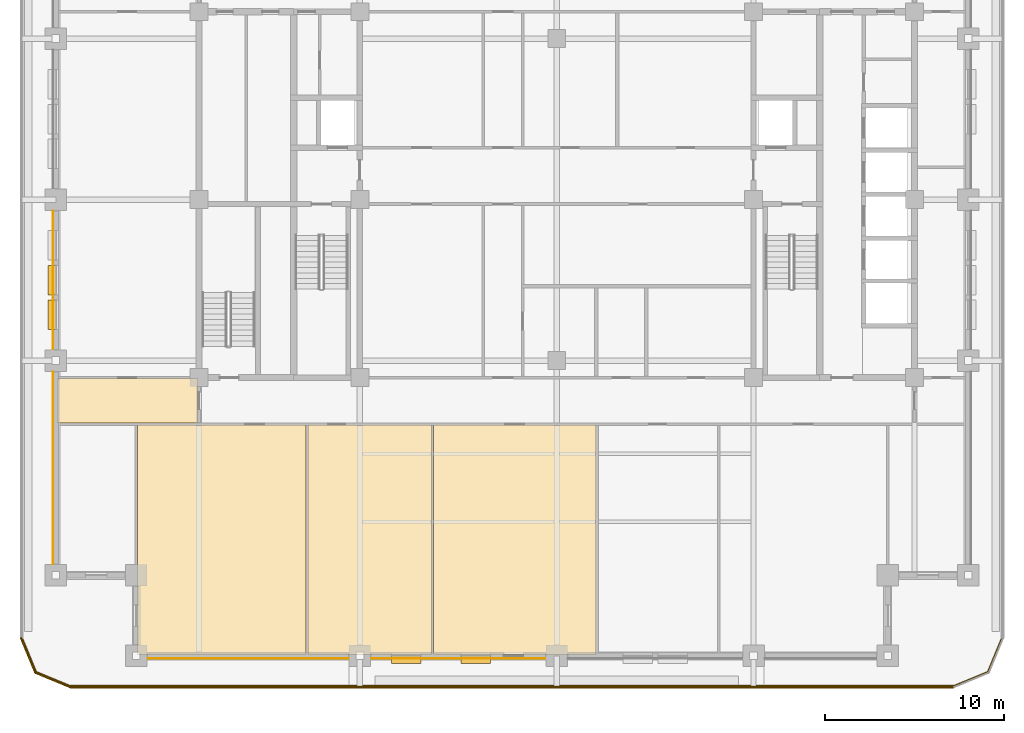
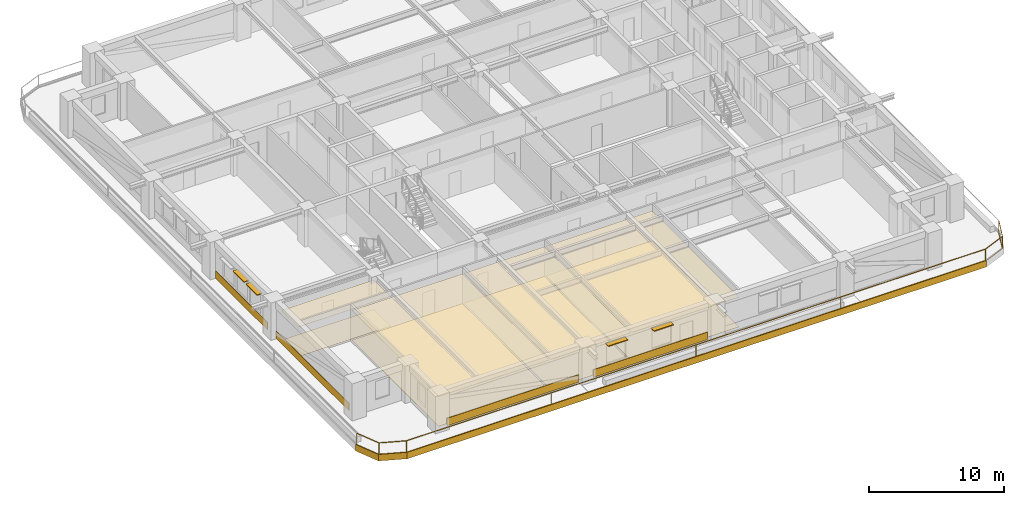
# One storey, part 8 of 16: 15 coverings, 4 shading devices, 1 railing.
"""IFC4 building model written with IfcOpenShell, lengths in metres."""

from ifc_helpers import new_model, si_unit, direction, frame, frame_2d, origin, origin_2d, place, context, subcontext, project, spatial, polyline, rectangle, outline, extrude, material, layer, layer_set, type_object, element, save


model = new_model("IFC4")

# Units and contexts
model_context = context("Model", 3, precision=1e-05, world=origin(), true_north=direction((0.0, 1.0)))
body_context = subcontext(model_context, "Body", "Model", "MODEL_VIEW")
ifc_project = project(units=[si_unit("LENGTHUNIT", "METRE"), si_unit("AREAUNIT", "SQUARE_METRE"), si_unit("VOLUMEUNIT", "CUBIC_METRE"), si_unit("PLANEANGLEUNIT", "RADIAN"), si_unit("MASSUNIT", "GRAM", prefix="KILO")], contexts=[model_context])

# Site, building, storey
site_placement = place(None, origin())
site = spatial("IfcSite", under=ifc_project, at=site_placement, CompositionType="ELEMENT")
building_placement = place(site_placement, origin())
building = spatial("IfcBuilding", under=site, at=building_placement, Name="Zulmaris Gate Convention Tower", CompositionType="ELEMENT")
storey_placement = place(building_placement, frame((0.0, 0.0, 124.919921875)))
storey = spatial("IfcBuildingStorey", under=building, at=storey_placement, Name="L31", CompositionType="ELEMENT", Elevation=124.919921875)

# Coverings
ifc_material_1 = material(Name="Precast concrete C40/50", Category="concrete")
ifc_layer_1 = layer(ifc_material_1, 0.0400390625, Name="Precast concrete C40/50")
ifc_layer_set_1 = layer_set([ifc_layer_1], Name="Precast concrete C40/50")
covering_type_1 = type_object("IfcCoveringType", Name="CLAD-SPANDREL-PRECAST", PredefinedType="CLADDING", material=ifc_layer_set_1)
covering_1_placement = place(storey_placement, frame((-22.8701171875, -25.64990234375, 0.0), z_axis=(0.0, 0.0, 1.0), x_axis=(1.0, 0.0, 0.0)))
element("IfcCovering", 1, at=covering_1_placement, inside=storey, type_object=covering_type_1, Name="CLD-L31-S-0_0", PredefinedType="CLADDING", context=body_context, shape_type="SweptSolid", body=[
    extrude(rectangle(XDim=11.240234375, YDim=0.0400390625, at=frame_2d((5.6201171875, 0.0))), origin(), (0.0, 0.0, 1.0), 0.679931640625),
])
covering_2_placement = place(storey_placement, frame((-10.3701171875, -25.64990234375, 0.0), z_axis=(0.0, 0.0, 1.0), x_axis=(1.0, 0.0, 0.0)))
element("IfcCovering", 2, at=covering_2_placement, inside=storey, type_object=covering_type_1, Name="CLD-L31-S-1_0", PredefinedType="CLADDING", context=body_context, shape_type="SweptSolid", body=[
    extrude(rectangle(XDim=9.740234375, YDim=0.0400390625, at=frame_2d((4.8701171875, 0.0))), origin(), (0.0, 0.0, 1.0), 0.679931640625),
])
covering_3_placement = place(storey_placement, frame((-28.14990234375, -9.6298828125, 0.0), z_axis=(0.0, 0.0, 1.0), x_axis=(0.0, -1.0, 0.0)))
element("IfcCovering", 3, at=covering_3_placement, inside=storey, type_object=covering_type_1, Name="CLD-L31-W-0_0", PredefinedType="CLADDING", context=body_context, shape_type="SweptSolid", body=[
    extrude(rectangle(XDim=10.740234375, YDim=0.0400390625, at=frame_2d((5.3701171875, 0.0))), origin(), (0.0, 0.0, 1.0), 0.679931640625),
])
covering_4_placement = place(storey_placement, frame((-28.14990234375, -0.6298828125, 0.0), z_axis=(0.0, 0.0, 1.0), x_axis=(0.0, -1.0, 0.0)))
element("IfcCovering", 4, at=covering_4_placement, inside=storey, type_object=covering_type_1, Name="CLD-L31-W-1_0", PredefinedType="CLADDING", context=body_context, shape_type="SweptSolid", body=[
    extrude(rectangle(XDim=7.740234375, YDim=0.0400390625, at=frame_2d((3.8701171875, 0.0))), origin(), (0.0, 0.0, 1.0), 0.679931640625),
])
ifc_material_2 = material(Name="White Glazed Architectural Precast Concrete C40/50", Category="concrete")
ifc_layer_2 = layer(ifc_material_2, 0.080078125, Name="White Glazed Architectural Precast Concrete C40/50")
ifc_layer_set_2 = layer_set([ifc_layer_2], Name="White Glazed Architectural Precast Concrete C40/50")
covering_type_2 = type_object("IfcCoveringType", Name="CLAD-TRAY-FASCIA", PredefinedType="CLADDING", material=ifc_layer_set_2)
covering_5_placement = place(storey_placement, frame((-29.962890625, -24.484619140625, -0.465087890625), z_axis=(0.0, 0.0, 1.0), x_axis=(0.382656984709, -0.923890487046, 0.0)))
element("IfcCovering", 5, at=covering_5_placement, inside=storey, type_object=covering_type_2, Name="FSC-L31-TR-00", PredefinedType="CLADDING", context=body_context, shape_type="SweptSolid", body=[
    extrude(rectangle(XDim=2.14306640625, YDim=0.080078125, at=frame_2d((1.071533203125, 0.0))), origin(), (0.0, 0.0, 1.0), 0.5849609375),
])
covering_6_placement = place(storey_placement, frame((-29.16455078125, -26.44287109375, -0.465087890625), z_axis=(0.0, 0.0, 1.0), x_axis=(0.923873803533, -0.382697263049, 0.0)))
element("IfcCovering", 6, at=covering_6_placement, inside=storey, type_object=covering_type_2, Name="FSC-L31-TR-01", PredefinedType="CLADDING", context=body_context, shape_type="SweptSolid", body=[
    extrude(rectangle(XDim=2.142822265625, YDim=0.080078125, at=frame_2d((1.0712890625, 0.0))), origin(), (0.0, 0.0, 1.0), 0.5849609375),
])
covering_7_placement = place(storey_placement, frame((-27.199951171875, -27.260009765625, -0.465087890625), z_axis=(0.0, 0.0, 1.0), x_axis=(1.0, 0.0, 0.0)))
element("IfcCovering", 7, at=covering_7_placement, inside=storey, type_object=covering_type_2, Name="FSC-L31-TR-02", PredefinedType="CLADDING", context=body_context, shape_type="SweptSolid", body=[
    extrude(rectangle(XDim=49.39990234375, YDim=0.080078125, at=frame_2d((24.699951171875, 0.0))), origin(), (0.0, 0.0, 1.0), 0.5849609375),
])
ifc_material_3 = material(Name="Mineral Fibre Acoustic Ceiling Tile")
ifc_layer_3 = layer(ifc_material_3, 0.02001953125, Name="Mineral Fibre Acoustic Ceiling Tile")
ifc_layer_set_3 = layer_set([ifc_layer_3], Name="Mineral Fibre Acoustic Ceiling Tile")
covering_type_3 = type_object("IfcCoveringType", Name="CLG-ACOUSTIC-600", PredefinedType="CEILING", material=ifc_layer_set_3)
covering_8_placement = place(storey_placement, frame((0.0, 0.0, 2.6796875)))
element("IfcCovering", 8, at=covering_8_placement, inside=storey, type_object=covering_type_3, Name="CLG-L31-R36", PredefinedType="CEILING", context=body_context, shape_type="SweptSolid", body=[
    extrude(outline(polyline([(-23.43994140625, -25.43994140625), (-14.010009765625, -25.43994140625), (-14.010009765625, -12.610107421875), (-23.43994140625, -12.610107421875), (-23.43994140625, -25.43994140625)])), origin(), (0.0, 0.0, 1.0), 0.02001953125),
])
covering_9_placement = place(storey_placement, frame((0.0, 0.0, 2.6796875)))
element("IfcCovering", 9, at=covering_9_placement, inside=storey, type_object=covering_type_3, Name="CLG-L31-R37", PredefinedType="CEILING", context=body_context, shape_type="SweptSolid", body=[
    extrude(outline(polyline([(-13.889892578125, -25.43994140625), (-7.010009765625, -25.43994140625), (-7.010009765625, -12.610107421875), (-13.889892578125, -12.610107421875), (-13.889892578125, -25.43994140625)])), origin(), (0.0, 0.0, 1.0), 0.02001953125),
])
covering_10_placement = place(storey_placement, frame((0.0, 0.0, 2.6796875)))
element("IfcCovering", 10, at=covering_10_placement, inside=storey, type_object=covering_type_3, Name="CLG-L31-R38", PredefinedType="CEILING", context=body_context, shape_type="SweptSolid", body=[
    extrude(outline(polyline([(-6.889892578125, -25.43994140625), (2.18994140625, -25.43994140625), (2.18994140625, -12.610107421875), (-6.889892578125, -12.610107421875), (-6.889892578125, -25.43994140625)])), origin(), (0.0, 0.0, 1.0), 0.02001953125),
])
covering_11_placement = place(storey_placement, frame((0.0, 0.0, 2.6796875)))
element("IfcCovering", 11, at=covering_11_placement, inside=storey, type_object=covering_type_3, Name="CLG-L31-R50", PredefinedType="CEILING", context=body_context, shape_type="SweptSolid", body=[
    extrude(outline(polyline([(-27.93994140625, -12.489990234375), (-20.06005859375, -12.489990234375), (-20.06005859375, -10.010009765625), (-27.93994140625, -10.010009765625), (-27.93994140625, -12.489990234375)])), origin(), (0.0, 0.0, 1.0), 0.02001953125),
])
ifc_material_4 = material(Name="Woven Acoustic Wool Carpet Tile")
ifc_layer_4 = layer(ifc_material_4, 0.02001953125, Name="Woven Acoustic Wool Carpet Tile")
ifc_layer_set_4 = layer_set([ifc_layer_4], Name="Woven Acoustic Wool Carpet Tile")
covering_type_4 = type_object("IfcCoveringType", Name="FLR-CARPET-12", PredefinedType="FLOORING", material=ifc_layer_set_4)
covering_12_placement = place(storey_placement, origin())
element("IfcCovering", 12, at=covering_12_placement, inside=storey, type_object=covering_type_4, Name="FLR-L31-R36", PredefinedType="FLOORING", context=body_context, shape_type="SweptSolid", body=[
    extrude(outline(polyline([(-23.43994140625, -25.43994140625), (-14.010009765625, -25.43994140625), (-14.010009765625, -12.610107421875), (-23.43994140625, -12.610107421875), (-23.43994140625, -25.43994140625)])), origin(), (0.0, 0.0, 1.0), 0.02001953125),
])
covering_13_placement = place(storey_placement, origin())
element("IfcCovering", 13, at=covering_13_placement, inside=storey, type_object=covering_type_4, Name="FLR-L31-R37", PredefinedType="FLOORING", context=body_context, shape_type="SweptSolid", body=[
    extrude(outline(polyline([(-13.889892578125, -25.43994140625), (-7.010009765625, -25.43994140625), (-7.010009765625, -12.610107421875), (-13.889892578125, -12.610107421875), (-13.889892578125, -25.43994140625)])), origin(), (0.0, 0.0, 1.0), 0.02001953125),
])
covering_14_placement = place(storey_placement, origin())
element("IfcCovering", 14, at=covering_14_placement, inside=storey, type_object=covering_type_4, Name="FLR-L31-R38", PredefinedType="FLOORING", context=body_context, shape_type="SweptSolid", body=[
    extrude(outline(polyline([(-6.889892578125, -25.43994140625), (2.18994140625, -25.43994140625), (2.18994140625, -12.610107421875), (-6.889892578125, -12.610107421875), (-6.889892578125, -25.43994140625)])), origin(), (0.0, 0.0, 1.0), 0.02001953125),
])
covering_15_placement = place(storey_placement, origin())
element("IfcCovering", 15, at=covering_15_placement, inside=storey, type_object=covering_type_4, Name="FLR-L31-R50", PredefinedType="FLOORING", context=body_context, shape_type="SweptSolid", body=[
    extrude(outline(polyline([(-27.93994140625, -12.489990234375), (-20.06005859375, -12.489990234375), (-20.06005859375, -10.010009765625), (-27.93994140625, -10.010009765625), (-27.93994140625, -12.489990234375)])), origin(), (0.0, 0.0, 1.0), 0.02001953125),
])

# Railing
ifc_material_5 = material(Name="Laminated Glass and Stainless Steel", Category="steel")
railing_type = type_object("IfcRailingType", Name="RL-BALC-1150", PredefinedType="BALUSTRADE", material=ifc_material_5)
railing_placement = place(storey_placement, frame((-29.8798828125, -24.5, -0.0400390625)))
element("IfcRailing", 16, at=railing_placement, inside=storey, type_object=railing_type, Name="RL-L31-BALC-S", PredefinedType="BALUSTRADE", context=body_context, shape_type="SweptSolid", body=[
    extrude(rectangle(XDim=0.048095703125, YDim=0.048095703125, at=origin_2d()), frame((0.0, 0.0, 1.1259765625), z_axis=(0.382670664694, -0.92388482095, 0.0), x_axis=(0.92388482095, 0.382670664694, 0.0)), (0.0, 0.0, 1.0), 2.051025390625),
    extrude(rectangle(XDim=0.048095703125, YDim=0.048095703125, at=origin_2d()), frame((0.0, 0.0, 0.02392578125), z_axis=(0.382670664694, -0.92388482095, 0.0), x_axis=(0.92388482095, 0.382670664694, 0.0)), (0.0, 0.0, 1.0), 2.051025390625),
    extrude(rectangle(XDim=0.048095703125, YDim=0.048095703125, at=origin_2d()), frame((0.784912109375, -1.89501953125, 1.1259765625), z_axis=(0.92388482095, -0.382670664694, 0.0), x_axis=(0.382670664694, 0.92388482095, 0.0)), (0.0, 0.0, 1.0), 2.051025390625),
    extrude(rectangle(XDim=0.048095703125, YDim=0.048095703125, at=origin_2d()), frame((0.784912109375, -1.89501953125, 0.02392578125), z_axis=(0.92388482095, -0.382670664694, 0.0), x_axis=(0.382670664694, 0.92388482095, 0.0)), (0.0, 0.0, 1.0), 2.051025390625),
    extrude(rectangle(XDim=0.048095703125, YDim=0.048095703125, at=origin_2d()), frame((2.679931640625, -2.679931640625, 1.1259765625), z_axis=(1.0, 0.0, 0.0), x_axis=(0.0, 1.0, 0.0)), (0.0, 0.0, 1.0), 49.39990234375),
    extrude(rectangle(XDim=0.048095703125, YDim=0.048095703125, at=origin_2d()), frame((2.679931640625, -2.679931640625, 0.02392578125), z_axis=(1.0, 0.0, 0.0), x_axis=(0.0, 1.0, 0.0)), (0.0, 0.0, 1.0), 49.39990234375),
    extrude(rectangle(XDim=0.048095703125, YDim=0.048095703125, at=origin_2d()), frame((52.079833984375, -2.679931640625, 1.1259765625), z_axis=(0.92388482095, 0.382670664694, 0.0), x_axis=(-0.382670664694, 0.92388482095, 0.0)), (0.0, 0.0, 1.0), 2.051025390625),
    extrude(rectangle(XDim=0.048095703125, YDim=0.048095703125, at=origin_2d()), frame((52.079833984375, -2.679931640625, 0.02392578125), z_axis=(0.92388482095, 0.382670664694, 0.0), x_axis=(-0.382670664694, 0.92388482095, 0.0)), (0.0, 0.0, 1.0), 2.051025390625),
    extrude(rectangle(XDim=0.048095703125, YDim=0.048095703125, at=origin_2d()), frame((53.974853515625, -1.89501953125, 1.1259765625), z_axis=(0.382670664694, 0.92388482095, 0.0), x_axis=(-0.92388482095, 0.382670664694, 0.0)), (0.0, 0.0, 1.0), 2.051025390625),
    extrude(rectangle(XDim=0.048095703125, YDim=0.048095703125, at=origin_2d()), frame((53.974853515625, -1.89501953125, 0.02392578125), z_axis=(0.382670664694, 0.92388482095, 0.0), x_axis=(-0.92388482095, 0.382670664694, 0.0)), (0.0, 0.0, 1.0), 2.051025390625),
    extrude(rectangle(XDim=0.0419921875, YDim=0.0419921875, at=origin_2d()), origin(), (0.0, 0.0, 1.0), 1.101806640625),
    extrude(rectangle(XDim=0.0419921875, YDim=0.0419921875, at=origin_2d()), frame((0.784912109375, -1.89501953125, 0.0)), (0.0, 0.0, 1.0), 1.101806640625),
    extrude(rectangle(XDim=0.0419921875, YDim=0.0419921875, at=origin_2d()), frame((2.679931640625, -2.679931640625, 0.0)), (0.0, 0.0, 1.0), 1.101806640625),
    extrude(rectangle(XDim=0.0419921875, YDim=0.0419921875, at=origin_2d()), frame((15.02978515625, -2.679931640625, 0.0)), (0.0, 0.0, 1.0), 1.101806640625),
    extrude(rectangle(XDim=0.0419921875, YDim=0.0419921875, at=origin_2d()), frame((27.3798828125, -2.679931640625, 0.0)), (0.0, 0.0, 1.0), 1.101806640625),
    extrude(rectangle(XDim=0.0419921875, YDim=0.0419921875, at=origin_2d()), frame((39.72998046875, -2.679931640625, 0.0)), (0.0, 0.0, 1.0), 1.101806640625),
    extrude(rectangle(XDim=0.0419921875, YDim=0.0419921875, at=origin_2d()), frame((52.079833984375, -2.679931640625, 0.0)), (0.0, 0.0, 1.0), 1.101806640625),
    extrude(rectangle(XDim=0.0419921875, YDim=0.0419921875, at=origin_2d()), frame((53.974853515625, -1.89501953125, 0.0)), (0.0, 0.0, 1.0), 1.101806640625),
    extrude(rectangle(XDim=0.0419921875, YDim=0.0419921875, at=origin_2d()), frame((54.759765625, 0.0, 0.0)), (0.0, 0.0, 1.0), 1.101806640625),
])

# Shading devices
ifc_material_6 = material(Name="Glazed Ceramic Terracotta", Category="masonry")
ifc_layer_5 = layer(ifc_material_6, 0.070068359375, Name="Glazed Ceramic Terracotta")
ifc_layer_set_5 = layer_set([ifc_layer_5], Name="Glazed Ceramic Terracotta")
shading_device_type = type_object("IfcShadingDeviceType", Name="SHD-SUNSHADE-TC", PredefinedType="AWNING", material=ifc_layer_set_5)
for number, where, z_axis, x_axis, name in (
    (17, (-9.2470703125, -25.719970703125, 2.530029296875), (0.0, 0.0, 1.0), (1.0, 0.0, 0.0), "SHD-EW-L31-S-1_0-1"),
    (18, (-5.35107421875, -25.719970703125, 2.530029296875), (0.0, 0.0, 1.0), (1.0, 0.0, 0.0), "SHD-EW-L31-S-1_0-3"),
):
    element("IfcShadingDevice", number, at=place(storey_placement, frame(where, z_axis=z_axis, x_axis=x_axis)), inside=storey, type_object=shading_device_type, Name=name, PredefinedType="AWNING", context=body_context, shape_type="SweptSolid", body=[
        extrude(rectangle(XDim=1.650146484375, YDim=0.43994140625, at=frame_2d((0.8251953125, 0.0))), origin(), (0.0, 0.0, 1.0), 0.070068359375),
    ])
for number, where, z_axis, x_axis, name in (
    (19, (-28.219970703125, -3.675048828125, 2.530029296875), (0.0, 0.0, 1.0), (0.0, -1.0, 0.0), "SHD-EW-L31-W-1_0-2"),
    (20, (-28.219970703125, -5.610107421875, 2.530029296875), (0.0, 0.0, 1.0), (0.0, -1.0, 0.0), "SHD-EW-L31-W-1_0-3"),
):
    element("IfcShadingDevice", number, at=place(storey_placement, frame(where, z_axis=z_axis, x_axis=x_axis)), inside=storey, type_object=shading_device_type, Name=name, PredefinedType="AWNING", context=body_context, shape_type="SweptSolid", body=[
        extrude(rectangle(XDim=1.64990234375, YDim=0.43994140625, at=frame_2d((0.824951171875, 0.0))), origin(), (0.0, 0.0, 1.0), 0.070068359375),
    ])

save(model, "model.ifc")
